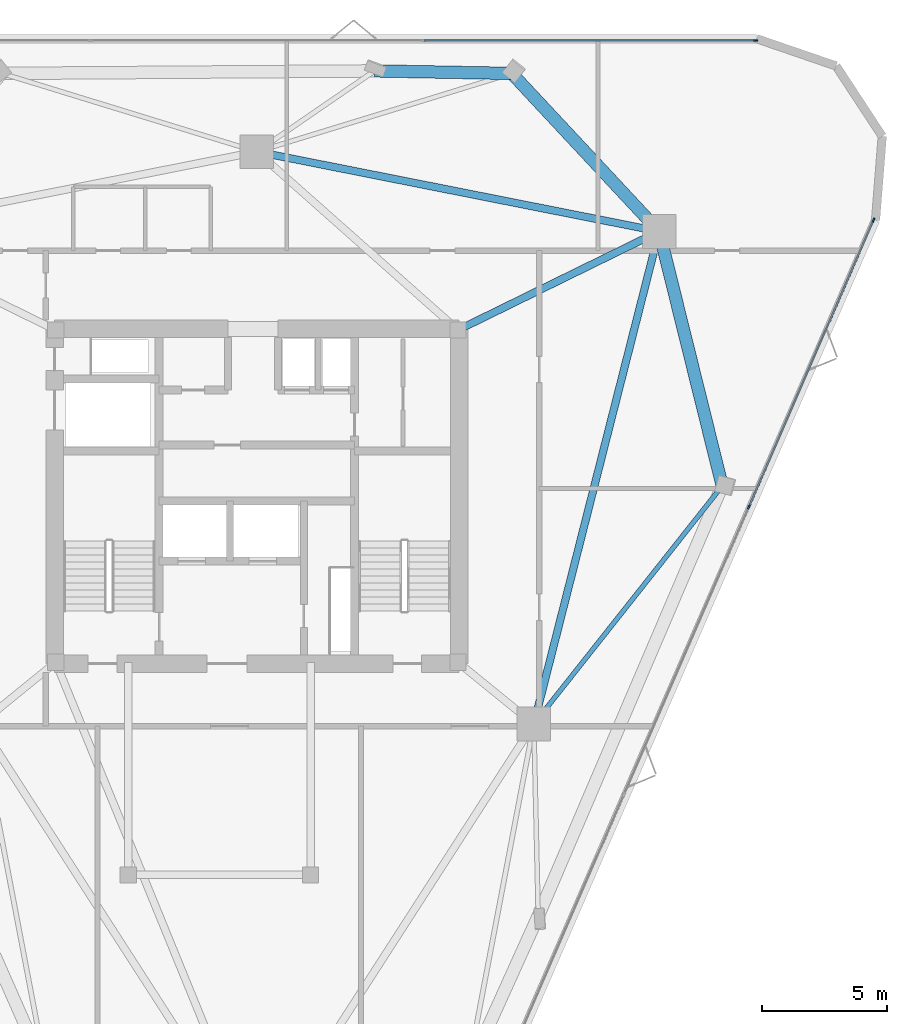
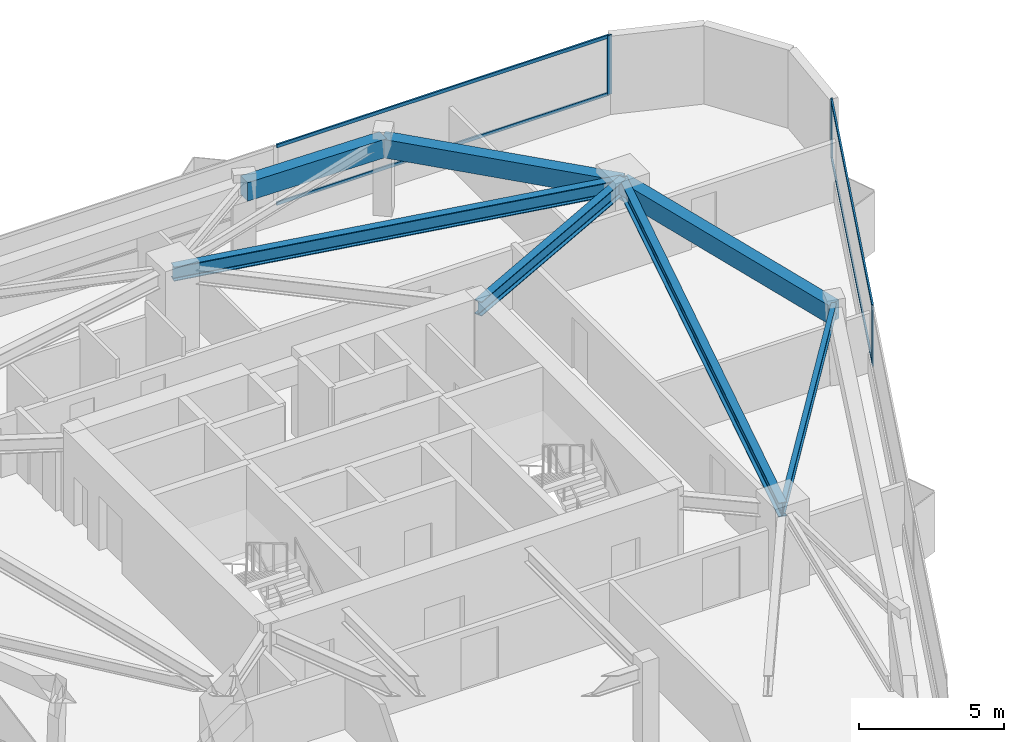
# One storey, part 8 of 12: 7 beams, 7 members, 2 elements without a shape of their own.
"""IFC4 building model written with IfcOpenShell, lengths in metres."""

from ifc_helpers import new_model, si_unit, direction, frame, origin, origin_2d, place, context, subcontext, project, spatial, rectangle, i_section, extrude, material, layer, layer_set, material_profile, profile_set, type_object, element, aggregate, save


model = new_model("IFC4")

# Units and contexts
model_context = context("Model", 3, precision=1e-05, world=origin(), true_north=direction((0.0, 1.0)))
body_context = subcontext(model_context, "Body", "Model", "MODEL_VIEW")
ifc_project = project(units=[si_unit("LENGTHUNIT", "METRE"), si_unit("AREAUNIT", "SQUARE_METRE"), si_unit("VOLUMEUNIT", "CUBIC_METRE"), si_unit("PLANEANGLEUNIT", "RADIAN"), si_unit("MASSUNIT", "GRAM", prefix="KILO")], contexts=[model_context])

# Site, building, storey
site_placement = place(None, origin())
site = spatial("IfcSite", under=ifc_project, at=site_placement, CompositionType="ELEMENT")
building_placement = place(site_placement, origin())
building = spatial("IfcBuilding", under=site, at=building_placement, Name="Talyreon Biosciences Tower", CompositionType="ELEMENT")
storey_placement = place(building_placement, frame((0.0, 0.0, 219.550048828125)))
storey = spatial("IfcBuildingStorey", under=building, at=storey_placement, Name="L58", CompositionType="ELEMENT", Elevation=219.550048828125)

# Curtain wall, member
ifc_material_1 = material(Name="Thermally broken aluminium and low-E glazing", Category="aluminium")
ifc_layer = layer(ifc_material_1, 0.179931640625)
ifc_layer_set = layer_set([ifc_layer], Name="Thermally broken aluminium and low-E glazing")
curtain_wall_type = type_object("IfcCurtainWallType", Name="CurtainWall_Zone4Optical", PredefinedType="NOTDEFINED", material=ifc_layer_set)
curtain_wall_1_placement = place(storey_placement, origin())
curtain_wall_1 = element("IfcCurtainWall", 1, at=curtain_wall_1_placement, inside=storey, type_object=curtain_wall_type, Name="L58 Unitised Curtain Wall FCW-L58-04", PredefinedType="NOTDEFINED")
ifc_material_2 = material(Name="Anodised thermally broken aluminium", Category="aluminium")
ifc_material_profile_1 = material_profile(ifc_material_2, rectangle(XDim=0.06494140625, YDim=0.179931640625, at=origin_2d()), Name="ALUM MULLION 65x180")
ifc_profile_set_1 = profile_set([ifc_material_profile_1], Name="Anodised thermally broken aluminium")
member_type_1 = type_object("IfcMemberType", Name="CWMullion_65x180", PredefinedType="MULLION", material=ifc_profile_set_1)
member_1_placement = place(storey_placement, frame((85.967529296875, 86.23828125, 0.81005859375), z_axis=(0.0, 0.0, 1.0), x_axis=(0.0, 1.0, 0.0)))
member_1 = element("IfcMember", 2, at=member_1_placement, type_object=member_type_1, Name="CW5 mullion 4", PredefinedType="MULLION", context=body_context, shape_type="SweptSolid", body=[
    extrude(rectangle(XDim=0.06494140625, YDim=0.179931640625, at=origin_2d()), origin(), (0.0, 0.0, 1.0), 2.489990234375),
])

# Curtain wall, members
curtain_wall_2_placement = place(storey_placement, origin())
curtain_wall_2 = element("IfcCurtainWall", 3, at=curtain_wall_2_placement, inside=storey, type_object=curtain_wall_type, Name="L58 Unitised Curtain Wall FCW-L58-08", PredefinedType="NOTDEFINED")
member_2_placement = place(storey_placement, frame((90.683349609375, 79.048828125, 0.81005859375), z_axis=(0.0, 0.0, 1.0), x_axis=(0.917221993355, -0.398376473835, 0.0)))
member_2 = element("IfcMember", 4, at=member_2_placement, type_object=member_type_1, Name="CW5 mullion 1", PredefinedType="MULLION", context=body_context, shape_type="SweptSolid", body=[
    extrude(rectangle(XDim=0.06494140625, YDim=0.179931640625, at=origin_2d()), origin(), (0.0, 0.0, 1.0), 2.489990234375),
])
member_3_placement = place(storey_placement, frame((85.6962890625, 67.566650390625, 0.81005859375), z_axis=(0.0, 0.0, 1.0), x_axis=(0.917221993355, -0.398376473835, 0.0)))
member_3 = element("IfcMember", 5, at=member_3_placement, type_object=member_type_1, Name="CW5 mullion 2", PredefinedType="MULLION", context=body_context, shape_type="SweptSolid", body=[
    extrude(rectangle(XDim=0.06494140625, YDim=0.179931640625, at=origin_2d()), origin(), (0.0, 0.0, 1.0), 2.489990234375),
])

# Member
ifc_material_profile_2 = material_profile(ifc_material_2, rectangle(XDim=0.06494140625, YDim=0.139892578125, at=origin_2d()), Name="ALUM TRANSOM 65x140")
ifc_profile_set_2 = profile_set([ifc_material_profile_2], Name="Anodised thermally broken aluminium")
member_type_2 = type_object("IfcMemberType", Name="CWTransom_65x140", PredefinedType="USERDEFINED", material=ifc_profile_set_2)
member_4_placement = place(storey_placement, frame((72.69921875, 86.23828125, 0.842529296875), z_axis=(1.0, 0.0, 0.0), x_axis=(0.0, 1.0, 0.0)))
member_4 = element("IfcMember", 6, at=member_4_placement, type_object=member_type_2, Name="CW5 transom 3.1", ObjectType="TRANSOM", PredefinedType="USERDEFINED", context=body_context, shape_type="SweptSolid", body=[
    extrude(rectangle(XDim=0.06494140625, YDim=0.139892578125, at=origin_2d()), origin(), (0.0, 0.0, 1.0), 13.23583984375),
])

member_5_placement = place(storey_placement, frame((72.69921875, 86.23828125, 3.267333984375), z_axis=(1.0, 0.0, 0.0), x_axis=(0.0, 1.0, 0.0)))
member_5 = element("IfcMember", 7, at=member_5_placement, type_object=member_type_2, Name="CW5 transom 3.2", ObjectType="TRANSOM", PredefinedType="USERDEFINED", context=body_context, shape_type="SweptSolid", body=[
    extrude(rectangle(XDim=0.06494140625, YDim=0.139892578125, at=origin_2d()), origin(), (0.0, 0.0, 1.0), 13.23583984375),
])

aggregate(curtain_wall_1, [member_1, member_4, member_5])

member_6_placement = place(storey_placement, frame((90.67041015625, 79.01904296875, 0.842529296875), z_axis=(-0.398376978135, -0.917221774323, 0.0), x_axis=(0.917221774323, -0.398376978135, 0.0)))
member_6 = element("IfcMember", 8, at=member_6_placement, type_object=member_type_2, Name="CW5 transom 1.1", ObjectType="TRANSOM", PredefinedType="USERDEFINED", context=body_context, shape_type="SweptSolid", body=[
    extrude(rectangle(XDim=0.06494140625, YDim=0.139892578125, at=origin_2d()), origin(), (0.0, 0.0, 1.0), 12.453369140625),
])

member_7_placement = place(storey_placement, frame((90.67041015625, 79.01904296875, 3.267333984375), z_axis=(-0.398376978135, -0.917221774323, 0.0), x_axis=(0.917221774323, -0.398376978135, 0.0)))
member_7 = element("IfcMember", 9, at=member_7_placement, type_object=member_type_2, Name="CW5 transom 1.2", ObjectType="TRANSOM", PredefinedType="USERDEFINED", context=body_context, shape_type="SweptSolid", body=[
    extrude(rectangle(XDim=0.06494140625, YDim=0.139892578125, at=origin_2d()), origin(), (0.0, 0.0, 1.0), 12.453369140625),
])

aggregate(curtain_wall_2, [member_2, member_3, member_6, member_7])

# Beams
ifc_material_3 = material(Name="Precast concrete C45/55", Category="concrete")
ifc_material_profile_3 = material_profile(ifc_material_3, rectangle(XDim=0.5, YDim=0.780029296875, at=origin_2d()), Name="RCB 500x780")
ifc_profile_set_3 = profile_set([ifc_material_profile_3], Name="Precast concrete C45/55")
beam_type_1 = type_object("IfcBeamType", Name="ExpressedSpandrel_500x780", PredefinedType="SPANDREL", material=ifc_profile_set_3)
beam_1_placement = place(storey_placement, frame((84.628662109375, 68.412109375, 2.909912109375), z_axis=(-0.240718005492, 0.970595096748, 0.0), x_axis=(-0.970595096748, -0.240718005492, 0.0)))
element("IfcBeam", 10, at=beam_1_placement, inside=storey, type_object=beam_type_1, Name="L58 Expressed Horizontal Concrete Spandrel 04", PredefinedType="SPANDREL", context=body_context, shape_type="SweptSolid", body=[
    extrude(rectangle(XDim=0.5, YDim=0.780029296875, at=origin_2d()), origin(), (0.0, 0.0, 1.0), 10.4951171875),
])
beam_2_placement = place(storey_placement, frame((82.102294921875, 78.5986328125, 2.909912109375), z_axis=(-0.681989287639, 0.731362161685, 0.0), x_axis=(-0.731362161685, -0.681989287639, 0.0)))
element("IfcBeam", 11, at=beam_2_placement, inside=storey, type_object=beam_type_1, Name="L58 Expressed Horizontal Concrete Spandrel 05", PredefinedType="SPANDREL", context=body_context, shape_type="SweptSolid", body=[
    extrude(rectangle(XDim=0.5, YDim=0.780029296875, at=origin_2d()), origin(), (0.0, 0.0, 1.0), 8.6484375),
])
beam_3_placement = place(storey_placement, frame((76.2041015625, 84.923828125, 2.909912109375), z_axis=(-0.999834913167, 0.018169931551, 0.0), x_axis=(-0.018169931551, -0.999834913167, 0.0)))
element("IfcBeam", 12, at=beam_3_placement, inside=storey, type_object=beam_type_1, Name="L58 Expressed Horizontal Concrete Spandrel 06", PredefinedType="SPANDREL", context=body_context, shape_type="SweptSolid", body=[
    extrude(rectangle(XDim=0.5, YDim=0.780029296875, at=origin_2d()), origin(), (0.0, 0.0, 1.0), 5.49560546875),
])
ifc_material_4 = material(Name="Steel SM355", Category="steel")
ifc_material_profile_4 = material_profile(ifc_material_4, i_section(OverallWidth=0.300048828125, OverallDepth=0.60009765625, WebThickness=0.015380859375, FlangeThickness=0.030029296875, FilletRadius=0.027099609375, at=origin_2d()), Name="HE600B")
ifc_profile_set_4 = profile_set([ifc_material_profile_4], Name="Steel SM355")
beam_type_2 = type_object("IfcBeamType", Name="SteelBeam_HE600B", PredefinedType="BEAM", material=ifc_profile_set_4)
beam_4_placement = place(storey_placement, frame((77.086181640625, 58.88037109375, 3.0), z_axis=(0.246537082299, 0.969133358755, 0.0), x_axis=(-0.969133358755, 0.246537082299, 0.0)))
element("IfcBeam", 13, at=beam_4_placement, inside=storey, type_object=beam_type_2, Name="L58 Mega-Ring Girder 2", PredefinedType="BEAM", context=body_context, shape_type="SweptSolid", body=[
    extrude(i_section(OverallWidth=0.300048828125, OverallDepth=0.60009765625, WebThickness=0.015380859375, FlangeThickness=0.030029296875, FilletRadius=0.027099609375, at=origin_2d()), origin(), (0.0, 0.0, 1.0), 20.34619140625),
])
beam_5_placement = place(storey_placement, frame((82.102294921875, 78.5986328125, 3.0), z_axis=(-0.980933730698, 0.194342522311, 0.0), x_axis=(-0.194342522311, -0.980933730698, 0.0)))
element("IfcBeam", 14, at=beam_5_placement, inside=storey, type_object=beam_type_2, Name="L58 Mega-Ring Girder 3", PredefinedType="BEAM", context=body_context, shape_type="SweptSolid", body=[
    extrude(i_section(OverallWidth=0.300048828125, OverallDepth=0.60009765625, WebThickness=0.015380859375, FlangeThickness=0.030029296875, FilletRadius=0.027099609375, at=origin_2d()), origin(), (0.0, 0.0, 1.0), 16.415283203125),
])
beam_6_placement = place(storey_placement, frame((74.050048828125, 74.64990234375, 3.0), z_axis=(0.897852360314, 0.440296648952, 0.0), x_axis=(-0.440296648952, 0.897852360314, 0.0)))
element("IfcBeam", 15, at=beam_6_placement, inside=storey, type_object=beam_type_2, Name="L58 Radial Primary Girder 3", PredefinedType="BEAM", context=body_context, shape_type="SweptSolid", body=[
    extrude(i_section(OverallWidth=0.300048828125, OverallDepth=0.60009765625, WebThickness=0.015380859375, FlangeThickness=0.030029296875, FilletRadius=0.027099609375, at=origin_2d()), origin(), (0.0, 0.0, 1.0), 8.96826171875),
])
ifc_material_profile_5 = material_profile(ifc_material_4, i_section(OverallWidth=0.18994140625, OverallDepth=0.449951171875, WebThickness=0.009521484375, FlangeThickness=0.0146484375, FilletRadius=0.02099609375, at=origin_2d()), Name="IPE450")
ifc_profile_set_5 = profile_set([ifc_material_profile_5], Name="Steel SM355")
beam_type_3 = type_object("IfcBeamType", Name="SteelJoist_IPE450", PredefinedType="JOIST", material=ifc_profile_set_5)
beam_7_placement = place(storey_placement, frame((77.086181640625, 58.88037109375, 3.074951171875), z_axis=(0.620526980757, 0.78418509687, 0.0), x_axis=(-0.78418509687, 0.620526980757, 0.0)))
element("IfcBeam", 16, at=beam_7_placement, inside=storey, type_object=beam_type_3, Name="L58 Radial Composite Floor Joist PC-SE2", PredefinedType="JOIST", context=body_context, shape_type="SweptSolid", body=[
    extrude(i_section(OverallWidth=0.18994140625, OverallDepth=0.449951171875, WebThickness=0.009521484375, FlangeThickness=0.0146484375, FilletRadius=0.02099609375, at=origin_2d()), origin(), (0.0, 0.0, 1.0), 12.155029296875),
])

save(model, "model.ifc")
